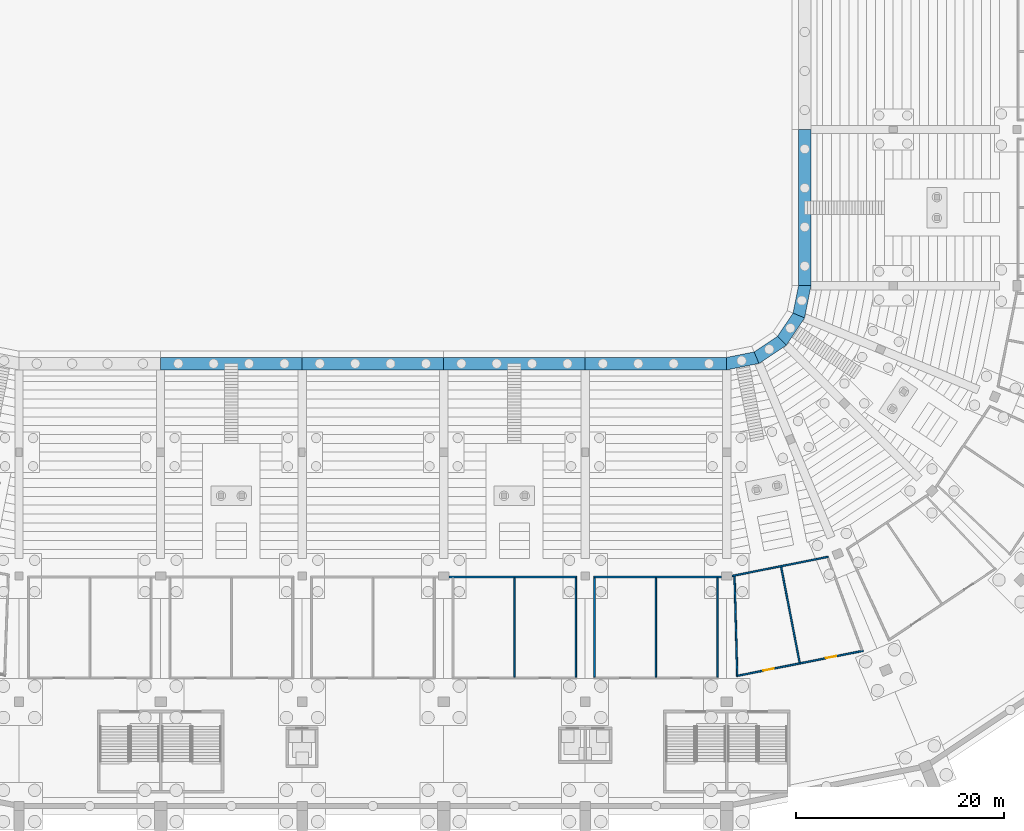
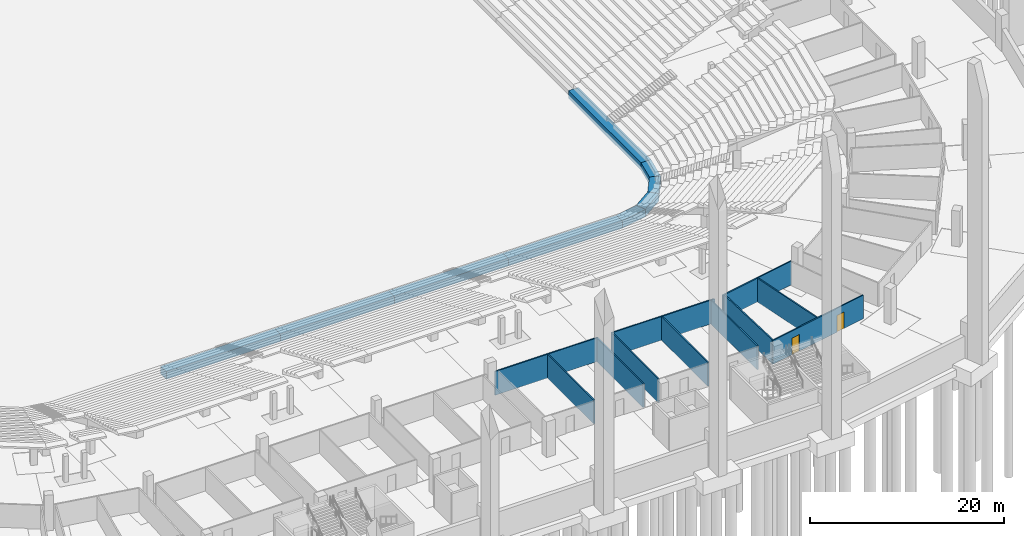
# One storey, part 24 of 115: 20 walls, 2 doors, 2 openings.
"""IFC4 building model written with IfcOpenShell, lengths in metres."""

from ifc_helpers import new_model, si_unit, direction, frame, frame_2d, origin, place, context, subcontext, project, spatial, polyline, rectangle, outline, extrude, material, layer, layer_set, type_object, element, fill, save


model = new_model("IFC4")

# Units and contexts
model_context = context("Model", 3, precision=1e-05, world=origin(), true_north=direction((0.0, 1.0)))
body_context = subcontext(model_context, "Body", "Model", "MODEL_VIEW")
ifc_project = project(units=[si_unit("LENGTHUNIT", "METRE"), si_unit("AREAUNIT", "SQUARE_METRE"), si_unit("VOLUMEUNIT", "CUBIC_METRE"), si_unit("PLANEANGLEUNIT", "RADIAN"), si_unit("MASSUNIT", "GRAM", prefix="KILO")], contexts=[model_context])

# Site, building, storey
site_placement = place(None, origin())
site = spatial("IfcSite", under=ifc_project, at=site_placement, CompositionType="ELEMENT")
building_placement = place(site_placement, origin())
building = spatial("IfcBuilding", under=site, at=building_placement, Name="Ogive Plaza Stadium", CompositionType="ELEMENT")
storey_placement = place(building_placement, frame((0.0, 0.0, -4.5)))
storey = spatial("IfcBuildingStorey", under=building, at=storey_placement, Name="B1", CompositionType="ELEMENT", Elevation=-4.5)

# Wall
ifc_material_1 = material(Name="Masonry blockwork", Category="masonry")
ifc_layer_1 = layer(ifc_material_1, 0.14990234375)
ifc_layer_set_1 = layer_set([ifc_layer_1], Name="Blockwork wall 150")
wall_type_1 = type_object("IfcWallType", Name="Blockwork wall 150", PredefinedType="SOLIDWALL", material=ifc_layer_set_1)
wall_1_placement = place(storey_placement, frame((34.5, -80.400634765625, 0.0), z_axis=(0.0, 0.0, 1.0), x_axis=(0.980785277375, 0.195090337241, 0.0)))
element("IfcWall", 1, at=wall_1_placement, inside=storey, type_object=wall_type_1, Name="Wall B1 B11", PredefinedType="SOLIDWALL", context=body_context, shape_type="SweptSolid", body=[
    extrude(rectangle(XDim=9.429443359375, YDim=0.14990234375, at=frame_2d((4.71484375, 0.0))), origin(), (0.0, 0.0, 1.0), 3.0),
])

# Wall, openings, doors
wall_2_placement = place(storey_placement, frame((34.9287109375, -90.015380859375, 0.0), z_axis=(0.0, 0.0, 1.0), x_axis=(0.980781768414, 0.19510797715, 0.0)))
wall_2 = element("IfcWall", 2, at=wall_2_placement, inside=storey, type_object=wall_type_1, Name="Wall B1 B11", PredefinedType="SOLIDWALL", context=body_context, shape_type="SweptSolid", body=[
    extrude(rectangle(XDim=12.435546875, YDim=0.14990234375, at=frame_2d((6.2177734375, 0.0))), origin(), (0.0, 0.0, 1.0), 3.0),
])
opening_1_placement = place(wall_2_placement, frame((2.65185546875, 0.0, 0.0)))
opening_1 = element("IfcOpeningElement", 3, at=opening_1_placement, cuts=wall_2, Name="Opening D0317", PredefinedType="OPENING", context=body_context, shape_type="SweptSolid", body=[
    extrude(rectangle(XDim=1.0, YDim=2.10009765625, at=frame_2d((0.5, 1.050048828125))), frame((0.0, 0.074951171875, 0.0), z_axis=(0.0, -1.0, 0.0), x_axis=(1.0, 0.0, 0.0)), (0.0, 0.0, 1.0), 0.14990234375),
])
opening_2_placement = place(wall_2_placement, frame((8.78369140625, 0.0, 0.0)))
opening_2 = element("IfcOpeningElement", 4, at=opening_2_placement, cuts=wall_2, Name="Opening D0318", PredefinedType="OPENING", context=body_context, shape_type="SweptSolid", body=[
    extrude(rectangle(XDim=1.0, YDim=2.10009765625, at=frame_2d((0.5, 1.050048828125))), frame((0.0, 0.074951171875, 0.0), z_axis=(0.0, -1.0, 0.0), x_axis=(1.0, 0.0, 0.0)), (0.0, 0.0, 1.0), 0.14990234375),
])
ifc_material_2 = material(Name="Steel ASTM A572 Grade 50", Category="steel")
door_type_1 = type_object("IfcDoorType", Name="Door 1000 x 2100", OperationType="SINGLE_SWING_LEFT", PredefinedType="DOOR", material=ifc_material_2)
door_1_placement = place(opening_1_placement, origin())
door_1 = element("IfcDoor", 5, at=door_1_placement, inside=storey, type_object=door_type_1, Name="Broadcast Compound Room B11 door", OperationType="SINGLE_SWING_RIGHT", OverallHeight=2.10009765625, OverallWidth=1.0, PredefinedType="DOOR", context=body_context, shape_type="SweptSolid", body=[
    extrude(rectangle(XDim=1.0, YDim=2.10009765625, at=frame_2d((0.5, 1.050048828125))), frame((0.0, 0.02490234375, 0.0), z_axis=(0.0, -1.0, 0.0), x_axis=(1.0, 0.0, 0.0)), (0.0, 0.0, 1.0), 0.050048828125),
])
fill(opening_1, door_1)
ifc_material_3 = material(Name="Steel ASTM A572 Grade 50", Category="steel")
door_type_2 = type_object("IfcDoorType", Name="Fire door FD90 1000 x 2100", OperationType="SINGLE_SWING_LEFT", PredefinedType="DOOR", material=ifc_material_3)
door_2_placement = place(opening_2_placement, origin())
door_2 = element("IfcDoor", 6, at=door_2_placement, inside=storey, type_object=door_type_2, Name="Chiller Plant B11 door", OperationType="SINGLE_SWING_LEFT", OverallHeight=2.10009765625, OverallWidth=1.0, PredefinedType="DOOR", context=body_context, shape_type="SweptSolid", body=[
    extrude(rectangle(XDim=1.0, YDim=2.10009765625, at=frame_2d((0.5, 1.050048828125))), frame((0.0, 0.02490234375, 0.0), z_axis=(0.0, -1.0, 0.0), x_axis=(1.0, 0.0, 0.0)), (0.0, 0.0, 1.0), 0.050048828125),
])
fill(opening_2, door_2)

# Walls
wall_3_placement = place(storey_placement, frame((34.75439453125, -80.425048828125, 0.0), z_axis=(0.0, 0.0, 1.0), x_axis=(0.027003283405, -0.999635344856, 0.0)))
element("IfcWall", 7, at=wall_3_placement, inside=storey, type_object=wall_type_1, Name="Wall B1 B11", PredefinedType="SOLIDWALL", context=body_context, shape_type="SweptSolid", body=[
    extrude(rectangle(XDim=9.502197265625, YDim=0.14990234375, at=frame_2d((4.7509765625, 0.0))), origin(), (0.0, 0.0, 1.0), 3.0),
])
wall_4_placement = place(storey_placement, frame((39.23291015625, -79.5341796875, 0.0), z_axis=(0.0, 0.0, 1.0), x_axis=(0.190042167924, -0.98177592882, 0.0)))
element("IfcWall", 8, at=wall_4_placement, inside=storey, type_object=wall_type_1, Name="Wall B1 B11", PredefinedType="SOLIDWALL", context=body_context, shape_type="SweptSolid", body=[
    extrude(rectangle(XDim=9.366455078125, YDim=0.14990234375, at=frame_2d((4.68310546875, 0.0))), origin(), (0.0, 0.0, 1.0), 3.0),
])
wall_5_placement = place(storey_placement, frame((33.5, -80.5, 0.0), z_axis=(0.0, 0.0, 1.0), x_axis=(-1.0, 0.0, 0.0)))
element("IfcWall", 9, at=wall_5_placement, inside=storey, type_object=wall_type_1, Name="Wall B1 B12", PredefinedType="SOLIDWALL", context=body_context, shape_type="SweptSolid", body=[
    extrude(rectangle(XDim=12.27490234375, YDim=0.14990234375, at=frame_2d((6.137451171875, 0.0))), origin(), (0.0, 0.0, 1.0), 3.0),
])
for number, where, z_axis, x_axis, name in (
    (10, (33.10009765625, -80.574951171875, 0.0), (0.0, 0.0, 1.0), (0.0, -1.0, 0.0), "Wall B1 B12"),
    (11, (27.199951171875, -80.574951171875, 0.0), (0.0, 0.0, 1.0), (0.0, -1.0, 0.0), "Wall B1 B12"),
    (12, (21.300048828125, -80.574951171875, 0.0), (0.0, 0.0, 1.0), (0.0, -1.0, 0.0), "Wall B1 B12"),
):
    element("IfcWall", number, at=place(storey_placement, frame(where, z_axis=z_axis, x_axis=x_axis)), inside=storey, type_object=wall_type_1, Name=name, PredefinedType="SOLIDWALL", context=body_context, shape_type="SweptSolid", body=[
        extrude(rectangle(XDim=9.550048828125, YDim=0.14990234375, at=frame_2d((4.77490234375, 0.0))), origin(), (0.0, 0.0, 1.0), 3.0),
    ])
wall_6_placement = place(storey_placement, frame((7.300048828125, -80.5, 0.0), z_axis=(0.0, 0.0, 1.0), x_axis=(1.0, 0.0, 0.0)))
element("IfcWall", 13, at=wall_6_placement, inside=storey, type_object=wall_type_1, Name="Wall B1 B13", PredefinedType="SOLIDWALL", context=body_context, shape_type="SweptSolid", body=[
    extrude(rectangle(XDim=12.27490234375, YDim=0.14990234375, at=frame_2d((6.137451171875, 0.0))), origin(), (0.0, 0.0, 1.0), 3.0),
])
for number, where, z_axis, x_axis, name in (
    (14, (13.60009765625, -80.574951171875, 0.0), (0.0, 0.0, 1.0), (0.0, -1.0, 0.0), "Wall B1 B13"),
    (15, (19.5, -80.574951171875, 0.0), (0.0, 0.0, 1.0), (0.0, -1.0, 0.0), "Wall B1 B13"),
):
    element("IfcWall", number, at=place(storey_placement, frame(where, z_axis=z_axis, x_axis=x_axis)), inside=storey, type_object=wall_type_1, Name=name, PredefinedType="SOLIDWALL", context=body_context, shape_type="SweptSolid", body=[
        extrude(rectangle(XDim=9.550048828125, YDim=0.14990234375, at=frame_2d((4.77490234375, 0.0))), origin(), (0.0, 0.0, 1.0), 3.0),
    ])
ifc_material_4 = material(Name="Concrete C40/50", Category="concrete")
ifc_layer_2 = layer(ifc_material_4, 1.199951171875)
ifc_layer_set_2 = layer_set([ifc_layer_2], Name="Concrete C40/50")
wall_type_2 = type_object("IfcWallType", Name="RC front wall 1200", PredefinedType="SOLIDWALL", material=ifc_layer_set_2)
wall_7_placement = place(storey_placement, frame((0.0, 0.0, -0.39990234375)))
element("IfcWall", 16, at=wall_7_placement, inside=storey, type_object=wall_type_2, Name="Front wall B07", PredefinedType="SOLIDWALL", context=body_context, shape_type="SweptSolid", body=[
    extrude(outline(polyline([(40.89990234375, -52.5), (42.10009765625, -52.5), (42.10009765625, -37.5), (40.89990234375, -37.5), (40.89990234375, -52.5)])), origin(), (0.0, 0.0, 1.0), 0.949951171875),
])
wall_8_placement = place(storey_placement, frame((0.0, 0.0, -0.39990234375)))
element("IfcWall", 17, at=wall_8_placement, inside=storey, type_object=wall_type_2, Name="Front wall B08", PredefinedType="SOLIDWALL", context=body_context, shape_type="SweptSolid", body=[
    extrude(outline(polyline([(40.374755859375, -55.140625), (41.4833984375, -55.599853515625), (42.10009765625, -52.5), (40.89990234375, -52.5), (40.374755859375, -55.140625)])), origin(), (0.0, 0.0, 1.0), 0.949951171875),
])
wall_9_placement = place(storey_placement, frame((0.0, 0.0, -0.39990234375)))
element("IfcWall", 18, at=wall_9_placement, inside=storey, type_object=wall_type_2, Name="Front wall B09", PredefinedType="SOLIDWALL", context=body_context, shape_type="SweptSolid", body=[
    extrude(outline(polyline([(38.879150390625, -57.379150390625), (39.7275390625, -58.2275390625), (41.4833984375, -55.599853515625), (40.374755859375, -55.140625), (38.879150390625, -57.379150390625)])), origin(), (0.0, 0.0, 1.0), 0.949951171875),
])
wall_10_placement = place(storey_placement, frame((0.0, 0.0, -0.39990234375)))
element("IfcWall", 19, at=wall_10_placement, inside=storey, type_object=wall_type_2, Name="Front wall B10", PredefinedType="SOLIDWALL", context=body_context, shape_type="SweptSolid", body=[
    extrude(outline(polyline([(36.640625, -58.874755859375), (37.099853515625, -59.9833984375), (39.7275390625, -58.2275390625), (38.879150390625, -57.379150390625), (36.640625, -58.874755859375)])), origin(), (0.0, 0.0, 1.0), 0.949951171875),
])
wall_11_placement = place(storey_placement, frame((0.0, 0.0, -0.39990234375)))
element("IfcWall", 20, at=wall_11_placement, inside=storey, type_object=wall_type_2, Name="Front wall B11", PredefinedType="SOLIDWALL", context=body_context, shape_type="SweptSolid", body=[
    extrude(outline(polyline([(34.0, -59.39990234375), (34.0, -60.60009765625), (37.099853515625, -59.9833984375), (36.640625, -58.874755859375), (34.0, -59.39990234375)])), origin(), (0.0, 0.0, 1.0), 0.949951171875),
])
wall_12_placement = place(storey_placement, frame((0.0, 0.0, -0.39990234375)))
element("IfcWall", 21, at=wall_12_placement, inside=storey, type_object=wall_type_2, Name="Front wall B12", PredefinedType="SOLIDWALL", context=body_context, shape_type="SweptSolid", body=[
    extrude(outline(polyline([(20.39990234375, -59.39990234375), (20.39990234375, -60.60009765625), (34.0, -60.60009765625), (34.0, -59.39990234375), (20.39990234375, -59.39990234375)])), origin(), (0.0, 0.0, 1.0), 0.949951171875),
])
wall_13_placement = place(storey_placement, frame((0.0, 0.0, -0.39990234375)))
element("IfcWall", 22, at=wall_13_placement, inside=storey, type_object=wall_type_2, Name="Front wall B13", PredefinedType="SOLIDWALL", context=body_context, shape_type="SweptSolid", body=[
    extrude(outline(polyline([(6.800048828125, -59.39990234375), (6.800048828125, -60.60009765625), (20.39990234375, -60.60009765625), (20.39990234375, -59.39990234375), (6.800048828125, -59.39990234375)])), origin(), (0.0, 0.0, 1.0), 0.949951171875),
])
wall_14_placement = place(storey_placement, frame((0.0, 0.0, -0.39990234375)))
element("IfcWall", 23, at=wall_14_placement, inside=storey, type_object=wall_type_2, Name="Front wall B14", PredefinedType="SOLIDWALL", context=body_context, shape_type="SweptSolid", body=[
    extrude(outline(polyline([(-6.800048828125, -59.39990234375), (-6.800048828125, -60.60009765625), (6.800048828125, -60.60009765625), (6.800048828125, -59.39990234375), (-6.800048828125, -59.39990234375)])), origin(), (0.0, 0.0, 1.0), 0.949951171875),
])
wall_15_placement = place(storey_placement, frame((0.0, 0.0, -0.39990234375)))
element("IfcWall", 24, at=wall_15_placement, inside=storey, type_object=wall_type_2, Name="Front wall B15", PredefinedType="SOLIDWALL", context=body_context, shape_type="SweptSolid", body=[
    extrude(outline(polyline([(-20.39990234375, -59.39990234375), (-20.39990234375, -60.60009765625), (-6.800048828125, -60.60009765625), (-6.800048828125, -59.39990234375), (-20.39990234375, -59.39990234375)])), origin(), (0.0, 0.0, 1.0), 0.949951171875),
])

save(model, "model.ifc")
